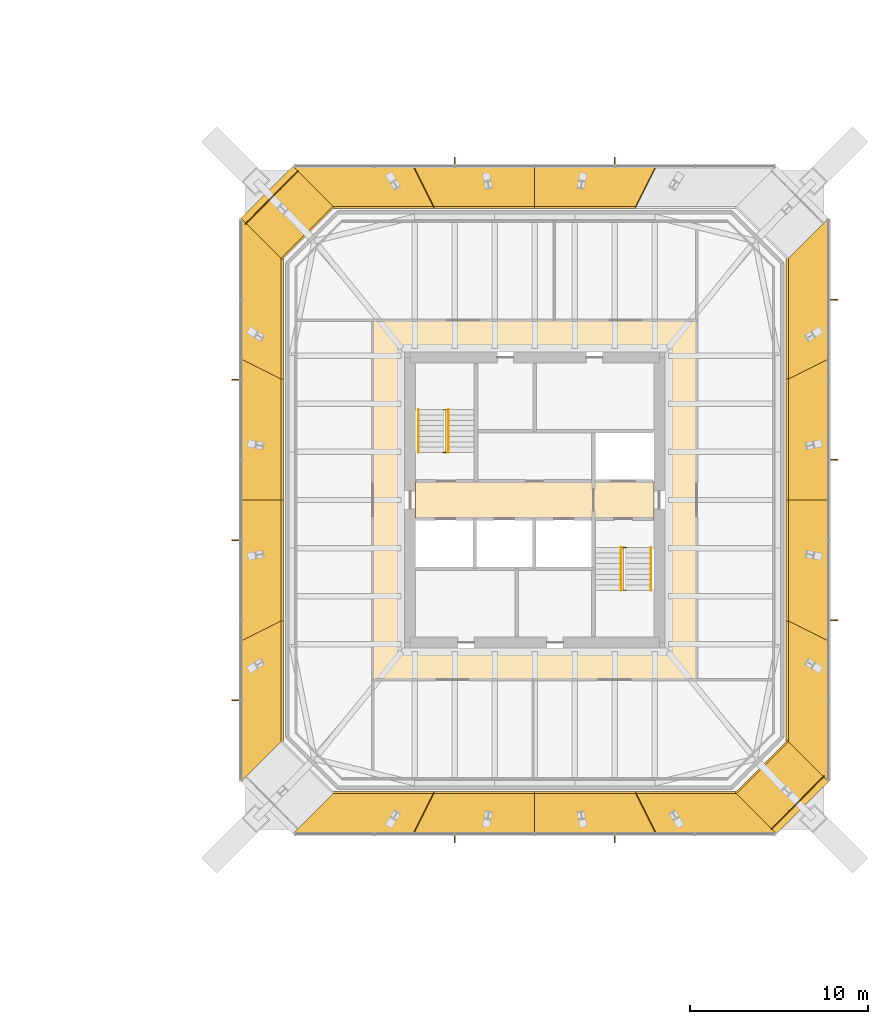
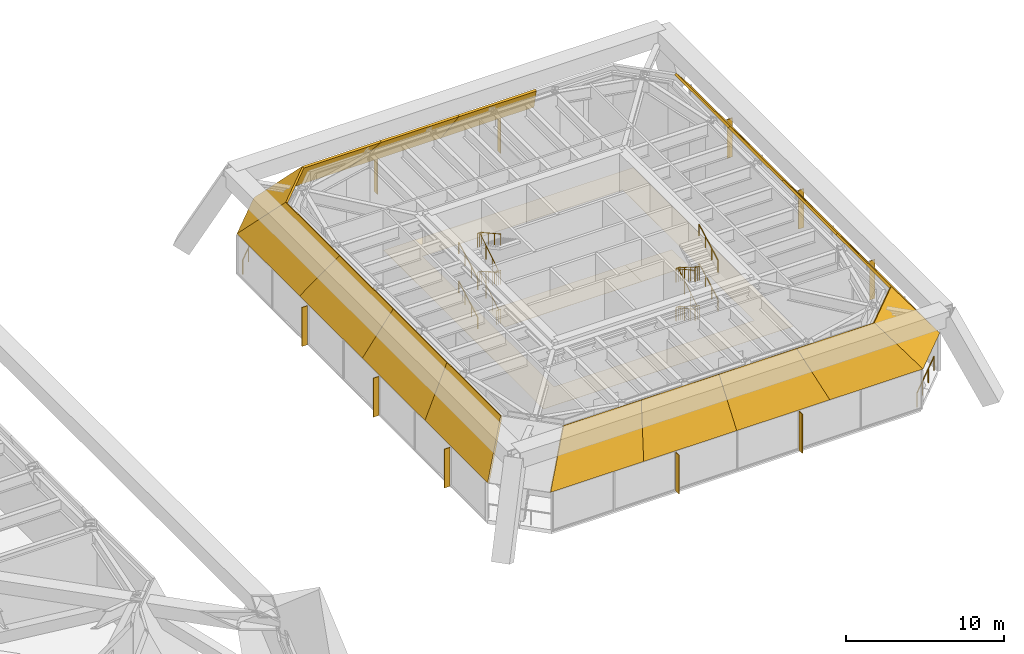
# One storey, part 15 of 16: 27 shading devices, 12 railings, 3 coverings.
"""IFC4 building model written with IfcOpenShell, lengths in metres."""

from ifc_helpers import new_model, si_unit, direction, frame, origin, origin_2d, place, context, subcontext, project, spatial, polyline, rectangle, circle, outline, extrude, material, layer, layer_set, constituent, constituent_set, type_object, element, save


model = new_model("IFC4")

# Units and contexts
model_context = context("Model", 3, precision=1e-05, world=origin(), true_north=direction((0.0, 1.0)))
body_context = subcontext(model_context, "Body", "Model", "MODEL_VIEW")
ifc_project = project(units=[si_unit("LENGTHUNIT", "METRE"), si_unit("AREAUNIT", "SQUARE_METRE"), si_unit("VOLUMEUNIT", "CUBIC_METRE"), si_unit("PLANEANGLEUNIT", "RADIAN"), si_unit("MASSUNIT", "GRAM", prefix="KILO")], contexts=[model_context])

# Site, building, storey
site_placement = place(None, origin())
site = spatial("IfcSite", under=ifc_project, at=site_placement, CompositionType="ELEMENT")
building_placement = place(site_placement, origin())
building = spatial("IfcBuilding", under=site, at=building_placement, Name="Iwan Alto Co-Living Towers", CompositionType="ELEMENT")
storey_placement = place(building_placement, frame((0.0, 0.0, 74.5)))
storey = spatial("IfcBuildingStorey", under=building, at=storey_placement, Name="L20", CompositionType="ELEMENT", Elevation=74.5)

# Coverings
ifc_material_1 = material(Name="Mineral fibre acoustic tiles on steel grid", Category="steel")
ifc_layer_1 = layer(ifc_material_1, 0.02001953125)
ifc_layer_set_1 = layer_set([ifc_layer_1], Name="ACOUSTIC TILE CEILING 20")
covering_type_1 = type_object("IfcCoveringType", Name="ACOUSTIC TILE CEILING 20", PredefinedType="CEILING", material=ifc_layer_set_1)
covering_1_placement = place(storey_placement, frame((0.0, 0.0, 2.60009765625)))
element("IfcCovering", 1, at=covering_1_placement, inside=storey, type_object=covering_type_1, Name="Ceiling Lift lobby L20", PredefinedType="CEILING", context=body_context, shape_type="SweptSolid", body=[
    extrude(outline(polyline([(56.300048828125, -1.050048828125), (56.300048828125, 1.050048828125), (66.300048828125, 1.050048828125), (66.300048828125, -1.050048828125), (56.300048828125, -1.050048828125)])), origin(), (0.0, 0.0, 1.0), 0.02001953125),
])
covering_2_placement = place(storey_placement, frame((0.0, 0.0, 2.60009765625)))
element("IfcCovering", 2, at=covering_2_placement, inside=storey, type_object=covering_type_1, Name="Ceiling Firefighting lobby L20", PredefinedType="CEILING", context=body_context, shape_type="SweptSolid", body=[
    extrude(outline(polyline([(66.300048828125, -1.050048828125), (66.300048828125, 1.050048828125), (69.699951171875, 1.050048828125), (69.699951171875, -1.050048828125), (66.300048828125, -1.050048828125)])), origin(), (0.0, 0.0, 1.0), 0.02001953125),
])

# Shading devices
ifc_material_2 = material(Name="Aluminium 6063-T6 bronze anodised", Category="aluminium")
ifc_layer_2 = layer(ifc_material_2, 0.050048828125)
ifc_layer_set_2 = layer_set([ifc_layer_2], Name="BRONZE FIN 50X400")
shading_device_type_1 = type_object("IfcShadingDeviceType", Name="BRONZE FIN 50X400", PredefinedType="USERDEFINED", material=ifc_layer_set_2)
for number, where, z_axis, x_axis, name in (
    (3, (58.5, -19.050048828125, 0.0), (0.0, 0.0, 1.0), (1.0, 0.0, 0.0), "Bronze fin L20"),
    (4, (67.5, -19.050048828125, 0.0), (0.0, 0.0, 1.0), (1.0, 0.0, 0.0), "Bronze fin L20"),
    (5, (79.800048828125, -6.75, 0.0), (0.0, 0.0, 1.0), (0.0, 1.0, 0.0), "Bronze fin L20"),
    (6, (79.800048828125, 2.25, 0.0), (0.0, 0.0, 1.0), (0.0, 1.0, 0.0), "Bronze fin L20"),
    (7, (79.800048828125, 11.25, 0.0), (0.0, 0.0, 1.0), (0.0, 1.0, 0.0), "Bronze fin L20"),
    (8, (67.5, 19.050048828125, 0.0), (0.0, 0.0, 1.0), (-1.0, 0.0, 0.0), "Bronze fin L20"),
    (9, (58.5, 19.050048828125, 0.0), (0.0, 0.0, 1.0), (-1.0, 0.0, 0.0), "Bronze fin L20"),
    (10, (46.199951171875, 6.75, 0.0), (0.0, 0.0, 1.0), (0.0, -1.0, 0.0), "Bronze fin L20"),
    (11, (46.199951171875, -2.25, 0.0), (0.0, 0.0, 1.0), (0.0, -1.0, 0.0), "Bronze fin L20"),
    (12, (46.199951171875, -11.25, 0.0), (0.0, 0.0, 1.0), (0.0, -1.0, 0.0), "Bronze fin L20"),
):
    element("IfcShadingDevice", number, at=place(storey_placement, frame(where, z_axis=z_axis, x_axis=x_axis)), inside=storey, type_object=shading_device_type_1, Name=name, ObjectType="LOUVER", PredefinedType="USERDEFINED", context=body_context, shape_type="SweptSolid", body=[
        extrude(rectangle(XDim=0.050048828125, YDim=0.39990234375, at=origin_2d()), origin(), (0.0, 0.0, 1.0), 3.0),
    ])

# Railings
ifc_material_3 = material(Name="Aluminium 6063-T6 bronze anodised", Category="aluminium")
ifc_constituent_1 = constituent(ifc_material_3, Name="Rails and posts", Category="Framing")
ifc_material_4 = material(Name="Laminated toughened glass", Category="glass")
ifc_constituent_2 = constituent(ifc_material_4, Name="Infill", Category="Infill")
ifc_constituent_set_1 = constituent_set(constituents=[ifc_constituent_1, ifc_constituent_2], Name="GUARDRAIL 1100")
railing_type_1 = type_object("IfcRailingType", Name="GUARDRAIL 1100", PredefinedType="GUARDRAIL", material=ifc_constituent_set_1)
railing_1_placement = place(storey_placement, frame((76.29541015625, -18.466064453125, 0.0)))
element("IfcRailing", 13, at=railing_1_placement, inside=storey, type_object=railing_type_1, Name="Guardrail L20", PredefinedType="GUARDRAIL", context=body_context, shape_type="SweptSolid", body=[
    extrude(circle(Radius=0.02392578125, at=origin_2d()), frame((0.0, 0.0, 1.076171875), z_axis=(0.706346797705, 0.70786594873, 0.0), x_axis=(-0.70786594873, 0.706346797705, 0.0)), (0.0, 0.0, 1.0), 4.178466796875),
    extrude(circle(Radius=0.02099609375, at=origin_2d()), origin(), (0.0, 0.0, 1.0), 1.052001953125),
    extrude(circle(Radius=0.02099609375, at=origin_2d()), frame((0.98388671875, 0.98583984375, 0.0)), (0.0, 0.0, 1.0), 1.052001953125),
    extrude(circle(Radius=0.02099609375, at=origin_2d()), frame((1.967529296875, 1.971923828125, 0.0)), (0.0, 0.0, 1.0), 1.052001953125),
    extrude(circle(Radius=0.02099609375, at=origin_2d()), frame((2.951416015625, 2.957763671875, 0.0)), (0.0, 0.0, 1.0), 1.052001953125),
])
railing_2_placement = place(storey_placement, frame((49.70458984375, 18.466064453125, 0.0)))
element("IfcRailing", 14, at=railing_2_placement, inside=storey, type_object=railing_type_1, Name="Guardrail L20", PredefinedType="GUARDRAIL", context=body_context, shape_type="SweptSolid", body=[
    extrude(circle(Radius=0.02392578125, at=origin_2d()), frame((0.0, 0.0, 1.076171875), z_axis=(-0.706346797705, -0.70786594873, 0.0), x_axis=(0.70786594873, -0.706346797705, 0.0)), (0.0, 0.0, 1.0), 4.178466796875),
    extrude(circle(Radius=0.02099609375, at=origin_2d()), origin(), (0.0, 0.0, 1.0), 1.052001953125),
    extrude(circle(Radius=0.02099609375, at=origin_2d()), frame((-0.98388671875, -0.98583984375, 0.0)), (0.0, 0.0, 1.0), 1.052001953125),
    extrude(circle(Radius=0.02099609375, at=origin_2d()), frame((-1.967529296875, -1.971923828125, 0.0)), (0.0, 0.0, 1.0), 1.052001953125),
    extrude(circle(Radius=0.02099609375, at=origin_2d()), frame((-2.951416015625, -2.957763671875, 0.0)), (0.0, 0.0, 1.0), 1.052001953125),
])

# Shading devices
ifc_layer_3 = layer(ifc_material_3, 0.10009765625, Name="Louvre blades", Category="Finish")
ifc_material_5 = material(Name="Steel ASTM A36 galvanised frame", Category="steel")
ifc_layer_4 = layer(ifc_material_5, 0.050048828125, Name="Steel frame", Category="Framing")
ifc_layer_set_3 = layer_set([ifc_layer_3, ifc_layer_4], Name="PLANT LOUVRE BAND 150")
shading_device_type_2 = type_object("IfcShadingDeviceType", Name="PLANT LOUVRE BAND 150", PredefinedType="USERDEFINED", material=ifc_layer_set_3)
shading_device_1_placement = place(storey_placement, frame((49.422607421875, -18.737548828125, 3.0), z_axis=(0.0, -0.8, 0.6), x_axis=(1.0, 0.0, 0.0)))
element("IfcShadingDevice", 15, at=shading_device_1_placement, inside=storey, type_object=shading_device_type_2, Name="T2 raked louvre band L20 panel 1", ObjectType="LOUVER", PredefinedType="USERDEFINED", context=body_context, shape_type="SweptSolid", body=[
    extrude(outline(polyline([(0.0, 0.0), (6.788574219, 0.0), (7.913574219, 3.75), (2.25, 3.75), (0.0, 0.0)])), origin(), (0.0, 0.0, -1.0), 0.14990234375),
])
shading_device_2_placement = place(storey_placement, frame((56.211181640625, -18.737548828125, 3.0), z_axis=(0.0, -0.8, 0.6), x_axis=(1.0, 0.0, 0.0)))
element("IfcShadingDevice", 16, at=shading_device_2_placement, inside=storey, type_object=shading_device_type_2, Name="T2 raked louvre band L20 panel 2", ObjectType="LOUVER", PredefinedType="USERDEFINED", context=body_context, shape_type="SweptSolid", body=[
    extrude(outline(polyline([(0.0, 0.0), (6.788818359, 0.0), (6.788818359, 3.75), (1.125, 3.75), (0.0, 0.0)])), origin(), (0.0, 0.0, -1.0), 0.14990234375),
])
shading_device_3_placement = place(storey_placement, frame((63.0, -18.737548828125, 3.0), z_axis=(0.0, -0.8, 0.6), x_axis=(1.0, 0.0, 0.0)))
element("IfcShadingDevice", 17, at=shading_device_3_placement, inside=storey, type_object=shading_device_type_2, Name="T2 raked louvre band L20 panel 3", ObjectType="LOUVER", PredefinedType="USERDEFINED", context=body_context, shape_type="SweptSolid", body=[
    extrude(outline(polyline([(0.0, 0.0), (6.788818359, 0.0), (5.663818359, 3.75), (0.0, 3.75), (0.0, 0.0)])), origin(), (0.0, 0.0, -1.0), 0.14990234375),
])
shading_device_4_placement = place(storey_placement, frame((69.788818359375, -18.737548828125, 3.0), z_axis=(0.0, -0.8, 0.6), x_axis=(1.0, 0.0, 0.0)))
element("IfcShadingDevice", 18, at=shading_device_4_placement, inside=storey, type_object=shading_device_type_2, Name="T2 raked louvre band L20 panel 4", ObjectType="LOUVER", PredefinedType="USERDEFINED", context=body_context, shape_type="SweptSolid", body=[
    extrude(outline(polyline([(0.0, 0.0), (6.788574219, 0.0), (4.538574219, 3.75), (-1.125, 3.75), (0.0, 0.0)])), origin(), (0.0, 0.0, -1.0), 0.14990234375),
])
shading_device_5_placement = place(storey_placement, frame((76.577392578125, -18.737548828125, 3.0), z_axis=(0.485071250073, -0.485071250073, 0.727606875109), x_axis=(0.707106781187, 0.707106781187, 0.0)))
element("IfcShadingDevice", 19, at=shading_device_5_placement, inside=storey, type_object=shading_device_type_2, Name="T2 raked louvre band L20 panel 5", ObjectType="LOUVER", PredefinedType="USERDEFINED", context=body_context, shape_type="SweptSolid", body=[
    extrude(outline(polyline([(0.0, 0.0), (4.115582437, 0.0), (4.115582437, 4.373213921), (0.0, 4.373213921), (0.0, 0.0)])), origin(), (0.0, 0.0, -1.0), 0.14990234375),
])
shading_device_6_placement = place(storey_placement, frame((79.487548828125, -15.827392578125, 3.0), z_axis=(0.8, 0.0, 0.6), x_axis=(0.0, 1.0, 0.0)))
element("IfcShadingDevice", 20, at=shading_device_6_placement, inside=storey, type_object=shading_device_type_2, Name="T2 raked louvre band L20 panel 6", ObjectType="LOUVER", PredefinedType="USERDEFINED", context=body_context, shape_type="SweptSolid", body=[
    extrude(outline(polyline([(0.0, 0.0), (7.913574219, 0.0), (9.038574219, 3.75), (2.25, 3.75), (0.0, 0.0)])), origin(), (0.0, 0.0, -1.0), 0.14990234375),
])
shading_device_7_placement = place(storey_placement, frame((79.487548828125, -7.913818359375, 3.0), z_axis=(0.8, 0.0, 0.6), x_axis=(0.0, 1.0, 0.0)))
element("IfcShadingDevice", 21, at=shading_device_7_placement, inside=storey, type_object=shading_device_type_2, Name="T2 raked louvre band L20 panel 7", ObjectType="LOUVER", PredefinedType="USERDEFINED", context=body_context, shape_type="SweptSolid", body=[
    extrude(outline(polyline([(0.0, 0.0), (7.913818359, 0.0), (7.913818359, 3.75), (1.125, 3.75), (0.0, 0.0)])), origin(), (0.0, 0.0, -1.0), 0.14990234375),
])
shading_device_8_placement = place(storey_placement, frame((79.487548828125, 0.0, 3.0), z_axis=(0.8, 0.0, 0.6), x_axis=(0.0, 1.0, 0.0)))
element("IfcShadingDevice", 22, at=shading_device_8_placement, inside=storey, type_object=shading_device_type_2, Name="T2 raked louvre band L20 panel 8", ObjectType="LOUVER", PredefinedType="USERDEFINED", context=body_context, shape_type="SweptSolid", body=[
    extrude(outline(polyline([(0.0, 0.0), (7.913818359, 0.0), (6.788818359, 3.75), (0.0, 3.75), (0.0, 0.0)])), origin(), (0.0, 0.0, -1.0), 0.14990234375),
])
shading_device_9_placement = place(storey_placement, frame((79.487548828125, 7.913818359375, 3.0), z_axis=(0.8, 0.0, 0.6), x_axis=(0.0, 1.0, 0.0)))
element("IfcShadingDevice", 23, at=shading_device_9_placement, inside=storey, type_object=shading_device_type_2, Name="T2 raked louvre band L20 panel 9", ObjectType="LOUVER", PredefinedType="USERDEFINED", context=body_context, shape_type="SweptSolid", body=[
    extrude(outline(polyline([(0.0, 0.0), (7.913574219, 0.0), (5.663574219, 3.75), (-1.125, 3.75), (0.0, 0.0)])), origin(), (0.0, 0.0, -1.0), 0.14990234375),
])
shading_device_10_placement = place(storey_placement, frame((69.788818359375, 18.737548828125, 3.0), z_axis=(0.0, 0.8, 0.6), x_axis=(-1.0, 0.0, 0.0)))
element("IfcShadingDevice", 24, at=shading_device_10_placement, inside=storey, type_object=shading_device_type_2, Name="T2 raked louvre band L20 panel 12", ObjectType="LOUVER", PredefinedType="USERDEFINED", context=body_context, shape_type="SweptSolid", body=[
    extrude(outline(polyline([(0.0, 0.0), (6.788818359, 0.0), (6.788818359, 3.75), (1.125, 3.75), (0.0, 0.0)])), origin(), (0.0, 0.0, -1.0), 0.14990234375),
])
shading_device_11_placement = place(storey_placement, frame((63.0, 18.737548828125, 3.0), z_axis=(0.0, 0.8, 0.6), x_axis=(-1.0, 0.0, 0.0)))
element("IfcShadingDevice", 25, at=shading_device_11_placement, inside=storey, type_object=shading_device_type_2, Name="T2 raked louvre band L20 panel 13", ObjectType="LOUVER", PredefinedType="USERDEFINED", context=body_context, shape_type="SweptSolid", body=[
    extrude(outline(polyline([(0.0, 0.0), (6.788818359, 0.0), (5.663818359, 3.75), (0.0, 3.75), (0.0, 0.0)])), origin(), (0.0, 0.0, -1.0), 0.14990234375),
])
shading_device_12_placement = place(storey_placement, frame((56.211181640625, 18.737548828125, 3.0), z_axis=(0.0, 0.8, 0.6), x_axis=(-1.0, 0.0, 0.0)))
element("IfcShadingDevice", 26, at=shading_device_12_placement, inside=storey, type_object=shading_device_type_2, Name="T2 raked louvre band L20 panel 14", ObjectType="LOUVER", PredefinedType="USERDEFINED", context=body_context, shape_type="SweptSolid", body=[
    extrude(outline(polyline([(0.0, 0.0), (6.788574219, 0.0), (4.538574219, 3.75), (-1.125, 3.75), (0.0, 0.0)])), origin(), (0.0, 0.0, -1.0), 0.14990234375),
])
shading_device_13_placement = place(storey_placement, frame((49.422607421875, 18.737548828125, 3.0), z_axis=(-0.485071250073, 0.485071250073, 0.727606875109), x_axis=(-0.707106781187, -0.707106781187, 0.0)))
element("IfcShadingDevice", 27, at=shading_device_13_placement, inside=storey, type_object=shading_device_type_2, Name="T2 raked louvre band L20 panel 15", ObjectType="LOUVER", PredefinedType="USERDEFINED", context=body_context, shape_type="SweptSolid", body=[
    extrude(outline(polyline([(0.0, 0.0), (4.115582437, 0.0), (4.115582437, 4.373213921), (0.0, 4.373213921), (0.0, 0.0)])), origin(), (0.0, 0.0, -1.0), 0.14990234375),
])
shading_device_14_placement = place(storey_placement, frame((46.512451171875, 15.827392578125, 3.0), z_axis=(-0.8, 0.0, 0.6), x_axis=(0.0, -1.0, 0.0)))
element("IfcShadingDevice", 28, at=shading_device_14_placement, inside=storey, type_object=shading_device_type_2, Name="T2 raked louvre band L20 panel 16", ObjectType="LOUVER", PredefinedType="USERDEFINED", context=body_context, shape_type="SweptSolid", body=[
    extrude(outline(polyline([(0.0, 0.0), (7.913574219, 0.0), (9.038574219, 3.75), (2.25, 3.75), (0.0, 0.0)])), origin(), (0.0, 0.0, -1.0), 0.14990234375),
])
shading_device_15_placement = place(storey_placement, frame((46.512451171875, 7.913818359375, 3.0), z_axis=(-0.8, 0.0, 0.6), x_axis=(0.0, -1.0, 0.0)))
element("IfcShadingDevice", 29, at=shading_device_15_placement, inside=storey, type_object=shading_device_type_2, Name="T2 raked louvre band L20 panel 17", ObjectType="LOUVER", PredefinedType="USERDEFINED", context=body_context, shape_type="SweptSolid", body=[
    extrude(outline(polyline([(0.0, 0.0), (7.913818359, 0.0), (7.913818359, 3.75), (1.125, 3.75), (0.0, 0.0)])), origin(), (0.0, 0.0, -1.0), 0.14990234375),
])
shading_device_16_placement = place(storey_placement, frame((46.512451171875, 0.0, 3.0), z_axis=(-0.8, 0.0, 0.6), x_axis=(0.0, -1.0, 0.0)))
element("IfcShadingDevice", 30, at=shading_device_16_placement, inside=storey, type_object=shading_device_type_2, Name="T2 raked louvre band L20 panel 18", ObjectType="LOUVER", PredefinedType="USERDEFINED", context=body_context, shape_type="SweptSolid", body=[
    extrude(outline(polyline([(0.0, 0.0), (7.913818359, 0.0), (6.788818359, 3.75), (0.0, 3.75), (0.0, 0.0)])), origin(), (0.0, 0.0, -1.0), 0.14990234375),
])
shading_device_17_placement = place(storey_placement, frame((46.512451171875, -7.913818359375, 3.0), z_axis=(-0.8, 0.0, 0.6), x_axis=(0.0, -1.0, 0.0)))
element("IfcShadingDevice", 31, at=shading_device_17_placement, inside=storey, type_object=shading_device_type_2, Name="T2 raked louvre band L20 panel 19", ObjectType="LOUVER", PredefinedType="USERDEFINED", context=body_context, shape_type="SweptSolid", body=[
    extrude(outline(polyline([(0.0, 0.0), (7.913574219, 0.0), (5.663574219, 3.75), (-1.125, 3.75), (0.0, 0.0)])), origin(), (0.0, 0.0, -1.0), 0.14990234375),
])

# Railings
ifc_material_6 = material(Name="Steel ASTM A500 Gr C", Category="steel")
ifc_constituent_3 = constituent(ifc_material_6, Name="Rails and posts", Category="Framing")
ifc_material_7 = material(Name="Steel ASTM A36", Category="steel")
ifc_constituent_4 = constituent(ifc_material_7, Name="Bar infill", Category="Infill")
ifc_constituent_set_2 = constituent_set(constituents=[ifc_constituent_3, ifc_constituent_4], Name="STAIR GUARD 1100")
railing_type_2 = type_object("IfcRailingType", Name="STAIR GUARD 1100", PredefinedType="GUARDRAIL", material=ifc_constituent_set_2)
railing_3_placement = place(storey_placement, frame((58.0, 2.669921875, 0.0)))
element("IfcRailing", 32, at=railing_3_placement, inside=storey, type_object=railing_type_2, Name="Stair T2-S1 well guard L20", PredefinedType="GUARDRAIL", context=body_context, shape_type="SweptSolid", body=[
    extrude(circle(Radius=0.02392578125, at=origin_2d()), frame((0.0, 0.0, 1.076171875), z_axis=(0.0, 0.84801284173, 0.529975678933), x_axis=(-1.0, 0.0, 0.0)), (0.0, 0.0, 1.0), 2.830322265625),
    extrude(circle(Radius=0.02392578125, at=origin_2d()), frame((0.0, 2.400146484375, 2.576171875), z_axis=(0.0, -0.84801284173, 0.529975678933), x_axis=(1.0, 0.0, 0.0)), (0.0, 0.0, 1.0), 2.830322265625),
    extrude(circle(Radius=0.02392578125, at=origin_2d()), frame((0.0, 0.0, 4.076171875), z_axis=(0.0, 0.84801284173, 0.529975678933), x_axis=(-1.0, 0.0, 0.0)), (0.0, 0.0, 1.0), 2.830322265625),
    extrude(circle(Radius=0.02392578125, at=origin_2d()), frame((-0.14990234375, 0.0, 1.076171875), z_axis=(1.0, 0.0, 0.0), x_axis=(0.0, 1.0, 0.0)), (0.0, 0.0, 1.0), 0.2998046875),
    extrude(circle(Radius=0.02392578125, at=origin_2d()), frame((-0.14990234375, 2.400146484375, 2.576171875), z_axis=(1.0, 0.0, 0.0), x_axis=(0.0, 1.0, 0.0)), (0.0, 0.0, 1.0), 0.2998046875),
    extrude(circle(Radius=0.02392578125, at=origin_2d()), frame((-0.14990234375, 0.0, 4.076171875), z_axis=(1.0, 0.0, 0.0), x_axis=(0.0, 1.0, 0.0)), (0.0, 0.0, 1.0), 0.2998046875),
    extrude(circle(Radius=0.02392578125, at=origin_2d()), frame((-0.14990234375, 2.400146484375, 5.576171875), z_axis=(1.0, 0.0, 0.0), x_axis=(0.0, 1.0, 0.0)), (0.0, 0.0, 1.0), 0.2998046875),
    extrude(circle(Radius=0.02099609375, at=origin_2d()), origin(), (0.0, 0.0, 1.0), 1.052001953125),
    extrude(circle(Radius=0.02099609375, at=origin_2d()), frame((0.0, 0.800048828125, 0.5)), (0.0, 0.0, 1.0), 1.052001953125),
    extrude(circle(Radius=0.02099609375, at=origin_2d()), frame((0.0, 1.60009765625, 1.0)), (0.0, 0.0, 1.0), 1.052001953125),
    extrude(circle(Radius=0.02099609375, at=origin_2d()), frame((0.0, 2.400146484375, 1.5)), (0.0, 0.0, 1.0), 1.052001953125),
    extrude(circle(Radius=0.02099609375, at=origin_2d()), frame((0.0, 1.60009765625, 2.0)), (0.0, 0.0, 1.0), 1.052001953125),
    extrude(circle(Radius=0.02099609375, at=origin_2d()), frame((0.0, 0.800048828125, 2.5)), (0.0, 0.0, 1.0), 1.052001953125),
    extrude(circle(Radius=0.02099609375, at=origin_2d()), frame((0.0, 0.0, 3.0)), (0.0, 0.0, 1.0), 1.052001953125),
    extrude(circle(Radius=0.02099609375, at=origin_2d()), frame((0.0, 0.800048828125, 3.5)), (0.0, 0.0, 1.0), 1.052001953125),
    extrude(circle(Radius=0.02099609375, at=origin_2d()), frame((0.0, 1.60009765625, 4.0)), (0.0, 0.0, 1.0), 1.052001953125),
    extrude(circle(Radius=0.02099609375, at=origin_2d()), frame((0.0, 2.400146484375, 4.5)), (0.0, 0.0, 1.0), 1.052001953125),
    extrude(circle(Radius=0.02099609375, at=origin_2d()), frame((-0.14990234375, 0.0, 0.0)), (0.0, 0.0, 1.0), 1.052001953125),
    extrude(circle(Radius=0.02099609375, at=origin_2d()), frame((0.14990234375, 0.0, 0.0)), (0.0, 0.0, 1.0), 1.052001953125),
    extrude(circle(Radius=0.02099609375, at=origin_2d()), frame((-0.14990234375, 2.400146484375, 1.5)), (0.0, 0.0, 1.0), 1.052001953125),
    extrude(circle(Radius=0.02099609375, at=origin_2d()), frame((0.14990234375, 2.400146484375, 1.5)), (0.0, 0.0, 1.0), 1.052001953125),
    extrude(circle(Radius=0.02099609375, at=origin_2d()), frame((-0.14990234375, 0.0, 3.0)), (0.0, 0.0, 1.0), 1.052001953125),
    extrude(circle(Radius=0.02099609375, at=origin_2d()), frame((0.14990234375, 0.0, 3.0)), (0.0, 0.0, 1.0), 1.052001953125),
    extrude(circle(Radius=0.02099609375, at=origin_2d()), frame((-0.14990234375, 2.400146484375, 4.5)), (0.0, 0.0, 1.0), 1.052001953125),
    extrude(circle(Radius=0.02099609375, at=origin_2d()), frame((0.14990234375, 2.400146484375, 4.5)), (0.0, 0.0, 1.0), 1.052001953125),
])
railing_4_placement = place(storey_placement, frame((68.0, -2.669921875, 0.0)))
element("IfcRailing", 33, at=railing_4_placement, inside=storey, type_object=railing_type_2, Name="Stair T2-S2 well guard L20", PredefinedType="GUARDRAIL", context=body_context, shape_type="SweptSolid", body=[
    extrude(circle(Radius=0.02392578125, at=origin_2d()), frame((0.0, 0.0, 1.076171875), z_axis=(0.0, -0.84801284173, 0.529975678933), x_axis=(1.0, 0.0, 0.0)), (0.0, 0.0, 1.0), 2.830322265625),
    extrude(circle(Radius=0.02392578125, at=origin_2d()), frame((0.0, -2.400146484375, 2.576171875), z_axis=(0.0, 0.84801284173, 0.529975678933), x_axis=(-1.0, 0.0, 0.0)), (0.0, 0.0, 1.0), 2.830322265625),
    extrude(circle(Radius=0.02392578125, at=origin_2d()), frame((0.0, 0.0, 4.076171875), z_axis=(0.0, -0.84801284173, 0.529975678933), x_axis=(1.0, 0.0, 0.0)), (0.0, 0.0, 1.0), 2.830322265625),
    extrude(circle(Radius=0.02392578125, at=origin_2d()), frame((-0.14990234375, 0.0, 1.076171875), z_axis=(1.0, 0.0, 0.0), x_axis=(0.0, 1.0, 0.0)), (0.0, 0.0, 1.0), 0.2998046875),
    extrude(circle(Radius=0.02392578125, at=origin_2d()), frame((-0.14990234375, -2.400146484375, 2.576171875), z_axis=(1.0, 0.0, 0.0), x_axis=(0.0, 1.0, 0.0)), (0.0, 0.0, 1.0), 0.2998046875),
    extrude(circle(Radius=0.02392578125, at=origin_2d()), frame((-0.14990234375, 0.0, 4.076171875), z_axis=(1.0, 0.0, 0.0), x_axis=(0.0, 1.0, 0.0)), (0.0, 0.0, 1.0), 0.2998046875),
    extrude(circle(Radius=0.02392578125, at=origin_2d()), frame((-0.14990234375, -2.400146484375, 5.576171875), z_axis=(1.0, 0.0, 0.0), x_axis=(0.0, 1.0, 0.0)), (0.0, 0.0, 1.0), 0.2998046875),
    extrude(circle(Radius=0.02099609375, at=origin_2d()), origin(), (0.0, 0.0, 1.0), 1.052001953125),
    extrude(circle(Radius=0.02099609375, at=origin_2d()), frame((0.0, -0.800048828125, 0.5)), (0.0, 0.0, 1.0), 1.052001953125),
    extrude(circle(Radius=0.02099609375, at=origin_2d()), frame((0.0, -1.60009765625, 1.0)), (0.0, 0.0, 1.0), 1.052001953125),
    extrude(circle(Radius=0.02099609375, at=origin_2d()), frame((0.0, -2.400146484375, 1.5)), (0.0, 0.0, 1.0), 1.052001953125),
    extrude(circle(Radius=0.02099609375, at=origin_2d()), frame((0.0, -1.60009765625, 2.0)), (0.0, 0.0, 1.0), 1.052001953125),
    extrude(circle(Radius=0.02099609375, at=origin_2d()), frame((0.0, -0.800048828125, 2.5)), (0.0, 0.0, 1.0), 1.052001953125),
    extrude(circle(Radius=0.02099609375, at=origin_2d()), frame((0.0, 0.0, 3.0)), (0.0, 0.0, 1.0), 1.052001953125),
    extrude(circle(Radius=0.02099609375, at=origin_2d()), frame((0.0, -0.800048828125, 3.5)), (0.0, 0.0, 1.0), 1.052001953125),
    extrude(circle(Radius=0.02099609375, at=origin_2d()), frame((0.0, -1.60009765625, 4.0)), (0.0, 0.0, 1.0), 1.052001953125),
    extrude(circle(Radius=0.02099609375, at=origin_2d()), frame((0.0, -2.400146484375, 4.5)), (0.0, 0.0, 1.0), 1.052001953125),
    extrude(circle(Radius=0.02099609375, at=origin_2d()), frame((-0.14990234375, 0.0, 0.0)), (0.0, 0.0, 1.0), 1.052001953125),
    extrude(circle(Radius=0.02099609375, at=origin_2d()), frame((0.14990234375, 0.0, 0.0)), (0.0, 0.0, 1.0), 1.052001953125),
    extrude(circle(Radius=0.02099609375, at=origin_2d()), frame((-0.14990234375, -2.400146484375, 1.5)), (0.0, 0.0, 1.0), 1.052001953125),
    extrude(circle(Radius=0.02099609375, at=origin_2d()), frame((0.14990234375, -2.400146484375, 1.5)), (0.0, 0.0, 1.0), 1.052001953125),
    extrude(circle(Radius=0.02099609375, at=origin_2d()), frame((-0.14990234375, 0.0, 3.0)), (0.0, 0.0, 1.0), 1.052001953125),
    extrude(circle(Radius=0.02099609375, at=origin_2d()), frame((0.14990234375, 0.0, 3.0)), (0.0, 0.0, 1.0), 1.052001953125),
    extrude(circle(Radius=0.02099609375, at=origin_2d()), frame((-0.14990234375, -2.400146484375, 4.5)), (0.0, 0.0, 1.0), 1.052001953125),
    extrude(circle(Radius=0.02099609375, at=origin_2d()), frame((0.14990234375, -2.400146484375, 4.5)), (0.0, 0.0, 1.0), 1.052001953125),
])
ifc_material_8 = material(Name="Steel ASTM A500 Gr C", Category="steel")
railing_type_3 = type_object("IfcRailingType", Name="STAIR HANDRAIL 900", PredefinedType="HANDRAIL", material=ifc_material_8)
railing_5_placement = place(storey_placement, frame((56.469970703125, 2.669921875, 0.166748046875)))
element("IfcRailing", 34, at=railing_5_placement, inside=storey, type_object=railing_type_3, Name="Stair T2-S1 handrail 1 L20", PredefinedType="HANDRAIL", context=body_context, shape_type="SweptSolid", body=[
    extrude(circle(Radius=0.02392578125, at=origin_2d()), frame((0.0, 0.0, 0.8759765625), z_axis=(0.0, 0.874182441271, 0.485597631145), x_axis=(-1.0, 0.0, 0.0)), (0.0, 0.0, 1.0), 2.74560546875),
    extrude(circle(Radius=0.02099609375, at=origin_2d()), origin(), (0.0, 0.0, 1.0), 0.851806640625),
    extrude(circle(Radius=0.02099609375, at=origin_2d()), frame((0.0, 0.800048828125, 0.4443359375)), (0.0, 0.0, 1.0), 0.851806640625),
    extrude(circle(Radius=0.02099609375, at=origin_2d()), frame((0.0, 1.60009765625, 0.888916015625)), (0.0, 0.0, 1.0), 0.851806640625),
    extrude(circle(Radius=0.02099609375, at=origin_2d()), frame((0.0, 2.400146484375, 1.333251953125)), (0.0, 0.0, 1.0), 0.851806640625),
])
railing_6_placement = place(storey_placement, frame((58.14990234375, 5.070068359375, 1.666748046875)))
element("IfcRailing", 35, at=railing_6_placement, inside=storey, type_object=railing_type_3, Name="Stair T2-S1 handrail 2 L20", PredefinedType="HANDRAIL", context=body_context, shape_type="SweptSolid", body=[
    extrude(circle(Radius=0.02392578125, at=origin_2d()), frame((0.0, 0.0, 0.8759765625), z_axis=(0.0, -0.874182441271, 0.485597631145), x_axis=(1.0, 0.0, 0.0)), (0.0, 0.0, 1.0), 2.74560546875),
    extrude(circle(Radius=0.02099609375, at=origin_2d()), origin(), (0.0, 0.0, 1.0), 0.851806640625),
    extrude(circle(Radius=0.02099609375, at=origin_2d()), frame((0.0, -0.800048828125, 0.4443359375)), (0.0, 0.0, 1.0), 0.851806640625),
    extrude(circle(Radius=0.02099609375, at=origin_2d()), frame((0.0, -1.60009765625, 0.888916015625)), (0.0, 0.0, 1.0), 0.851806640625),
    extrude(circle(Radius=0.02099609375, at=origin_2d()), frame((0.0, -2.400146484375, 1.333251953125)), (0.0, 0.0, 1.0), 0.851806640625),
])
railing_7_placement = place(storey_placement, frame((56.469970703125, 2.669921875, 3.166748046875)))
element("IfcRailing", 36, at=railing_7_placement, inside=storey, type_object=railing_type_3, Name="Stair T2-S1 handrail 3 L20", PredefinedType="HANDRAIL", context=body_context, shape_type="SweptSolid", body=[
    extrude(circle(Radius=0.02392578125, at=origin_2d()), frame((0.0, 0.0, 0.8759765625), z_axis=(0.0, 0.874182441271, 0.485597631145), x_axis=(-1.0, 0.0, 0.0)), (0.0, 0.0, 1.0), 2.74560546875),
    extrude(circle(Radius=0.02099609375, at=origin_2d()), origin(), (0.0, 0.0, 1.0), 0.851806640625),
    extrude(circle(Radius=0.02099609375, at=origin_2d()), frame((0.0, 0.800048828125, 0.4443359375)), (0.0, 0.0, 1.0), 0.851806640625),
    extrude(circle(Radius=0.02099609375, at=origin_2d()), frame((0.0, 1.60009765625, 0.888916015625)), (0.0, 0.0, 1.0), 0.851806640625),
    extrude(circle(Radius=0.02099609375, at=origin_2d()), frame((0.0, 2.400146484375, 1.333251953125)), (0.0, 0.0, 1.0), 0.851806640625),
])
for number, where, name in (
    (37, (58.14990234375, 5.070068359375, 4.666748046875), "Stair T2-S1 handrail 4 L20"),
    (38, (67.85009765625, -2.669921875, 0.166748046875), "Stair T2-S2 handrail 1 L20"),
):
    element("IfcRailing", number, at=place(storey_placement, frame(where)), inside=storey, type_object=railing_type_3, Name=name, PredefinedType="HANDRAIL", context=body_context, shape_type="SweptSolid", body=[
        extrude(circle(Radius=0.02392578125, at=origin_2d()), frame((0.0, 0.0, 0.8759765625), z_axis=(0.0, -0.874182441271, 0.485597631145), x_axis=(1.0, 0.0, 0.0)), (0.0, 0.0, 1.0), 2.74560546875),
        extrude(circle(Radius=0.02099609375, at=origin_2d()), origin(), (0.0, 0.0, 1.0), 0.851806640625),
        extrude(circle(Radius=0.02099609375, at=origin_2d()), frame((0.0, -0.800048828125, 0.4443359375)), (0.0, 0.0, 1.0), 0.851806640625),
        extrude(circle(Radius=0.02099609375, at=origin_2d()), frame((0.0, -1.60009765625, 0.888916015625)), (0.0, 0.0, 1.0), 0.851806640625),
        extrude(circle(Radius=0.02099609375, at=origin_2d()), frame((0.0, -2.400146484375, 1.333251953125)), (0.0, 0.0, 1.0), 0.851806640625),
    ])
railing_8_placement = place(storey_placement, frame((69.530029296875, -5.070068359375, 1.666748046875)))
element("IfcRailing", 39, at=railing_8_placement, inside=storey, type_object=railing_type_3, Name="Stair T2-S2 handrail 2 L20", PredefinedType="HANDRAIL", context=body_context, shape_type="SweptSolid", body=[
    extrude(circle(Radius=0.02392578125, at=origin_2d()), frame((0.0, 0.0, 0.8759765625), z_axis=(0.0, 0.874182441271, 0.485597631145), x_axis=(-1.0, 0.0, 0.0)), (0.0, 0.0, 1.0), 2.74560546875),
    extrude(circle(Radius=0.02099609375, at=origin_2d()), origin(), (0.0, 0.0, 1.0), 0.851806640625),
    extrude(circle(Radius=0.02099609375, at=origin_2d()), frame((0.0, 0.800048828125, 0.4443359375)), (0.0, 0.0, 1.0), 0.851806640625),
    extrude(circle(Radius=0.02099609375, at=origin_2d()), frame((0.0, 1.60009765625, 0.888916015625)), (0.0, 0.0, 1.0), 0.851806640625),
    extrude(circle(Radius=0.02099609375, at=origin_2d()), frame((0.0, 2.400146484375, 1.333251953125)), (0.0, 0.0, 1.0), 0.851806640625),
])
railing_9_placement = place(storey_placement, frame((67.85009765625, -2.669921875, 3.166748046875)))
element("IfcRailing", 40, at=railing_9_placement, inside=storey, type_object=railing_type_3, Name="Stair T2-S2 handrail 3 L20", PredefinedType="HANDRAIL", context=body_context, shape_type="SweptSolid", body=[
    extrude(circle(Radius=0.02392578125, at=origin_2d()), frame((0.0, 0.0, 0.8759765625), z_axis=(0.0, -0.874182441271, 0.485597631145), x_axis=(1.0, 0.0, 0.0)), (0.0, 0.0, 1.0), 2.74560546875),
    extrude(circle(Radius=0.02099609375, at=origin_2d()), origin(), (0.0, 0.0, 1.0), 0.851806640625),
    extrude(circle(Radius=0.02099609375, at=origin_2d()), frame((0.0, -0.800048828125, 0.4443359375)), (0.0, 0.0, 1.0), 0.851806640625),
    extrude(circle(Radius=0.02099609375, at=origin_2d()), frame((0.0, -1.60009765625, 0.888916015625)), (0.0, 0.0, 1.0), 0.851806640625),
    extrude(circle(Radius=0.02099609375, at=origin_2d()), frame((0.0, -2.400146484375, 1.333251953125)), (0.0, 0.0, 1.0), 0.851806640625),
])
railing_10_placement = place(storey_placement, frame((69.530029296875, -5.070068359375, 4.666748046875)))
element("IfcRailing", 41, at=railing_10_placement, inside=storey, type_object=railing_type_3, Name="Stair T2-S2 handrail 4 L20", PredefinedType="HANDRAIL", context=body_context, shape_type="SweptSolid", body=[
    extrude(circle(Radius=0.02392578125, at=origin_2d()), frame((0.0, 0.0, 0.8759765625), z_axis=(0.0, 0.874182441271, 0.485597631145), x_axis=(-1.0, 0.0, 0.0)), (0.0, 0.0, 1.0), 2.74560546875),
    extrude(circle(Radius=0.02099609375, at=origin_2d()), origin(), (0.0, 0.0, 1.0), 0.851806640625),
    extrude(circle(Radius=0.02099609375, at=origin_2d()), frame((0.0, 0.800048828125, 0.4443359375)), (0.0, 0.0, 1.0), 0.851806640625),
    extrude(circle(Radius=0.02099609375, at=origin_2d()), frame((0.0, 1.60009765625, 0.888916015625)), (0.0, 0.0, 1.0), 0.851806640625),
    extrude(circle(Radius=0.02099609375, at=origin_2d()), frame((0.0, 2.400146484375, 1.333251953125)), (0.0, 0.0, 1.0), 0.851806640625),
])

# Covering
ifc_material_9 = material(Name="Gypsum plasterboard on steel grid", Category="steel")
ifc_layer_5 = layer(ifc_material_9, 0.014892578125)
ifc_layer_set_4 = layer_set([ifc_layer_5], Name="SUSPENDED PLASTERBOARD CEILING 15")
covering_type_2 = type_object("IfcCoveringType", Name="SUSPENDED PLASTERBOARD CEILING 15", PredefinedType="CEILING", material=ifc_layer_set_4)
covering_3_placement = place(storey_placement, frame((0.0, 0.0, 2.60009765625)))
element("IfcCovering", 42, at=covering_3_placement, inside=storey, type_object=covering_type_2, Name="Ceiling Corridor L20", PredefinedType="CEILING", context=body_context, shape_type="SweptSolid", body=[
    extrude(outline(polyline([(53.89990234375, 10.10009765625), (72.10009765625, 10.10009765625), (72.10009765625, -10.10009765625), (53.89990234375, -10.10009765625), (53.89990234375, 10.10009765625)]), holes=[polyline([(55.699951171875, 8.300048828125), (55.699951171875, -8.300048828125), (70.300048828125, -8.300048828125), (70.300048828125, 8.300048828125), (55.699951171875, 8.300048828125)])]), origin(), (0.0, 0.0, 1.0), 0.014892578125),
])

save(model, "model.ifc")
